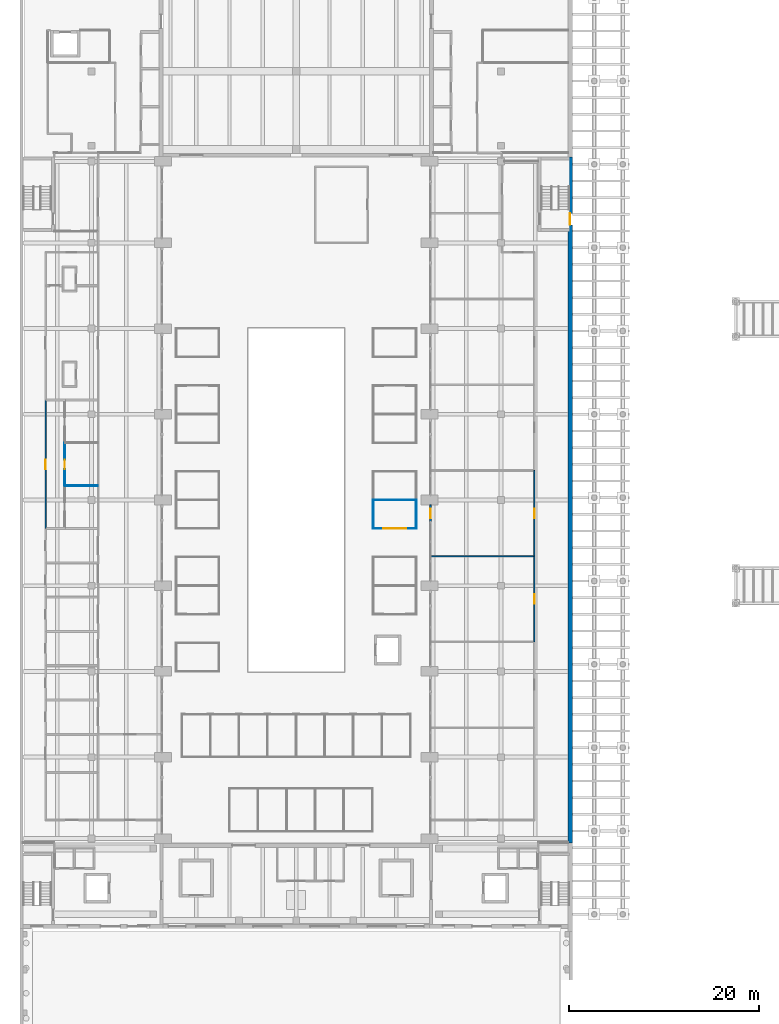
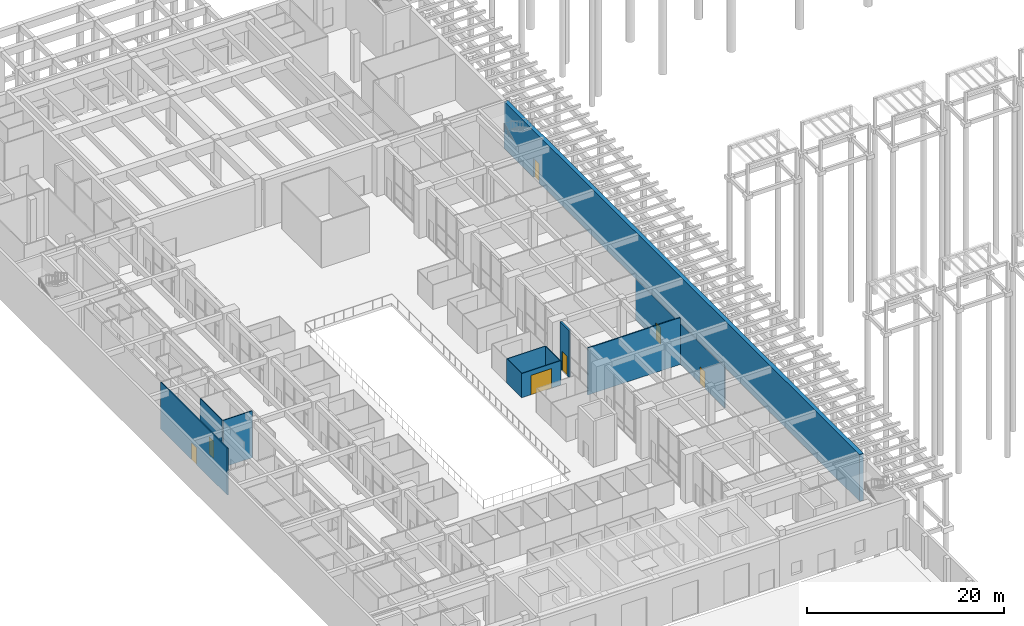
# One storey, part 33 of 51: 12 walls, 7 doors, 7 openings.
"""IFC4 building model written with IfcOpenShell, lengths in metres."""

from ifc_helpers import new_model, si_unit, direction, frame, frame_2d, origin, place, context, subcontext, project, spatial, rectangle, extrude, material, layer, layer_set, type_object, element, fill, save


model = new_model("IFC4")

# Units and contexts
model_context = context("Model", 3, precision=1e-05, world=origin(), true_north=direction((0.0, 1.0)))
body_context = subcontext(model_context, "Body", "Model", "MODEL_VIEW")
ifc_project = project(units=[si_unit("LENGTHUNIT", "METRE"), si_unit("AREAUNIT", "SQUARE_METRE"), si_unit("VOLUMEUNIT", "CUBIC_METRE"), si_unit("PLANEANGLEUNIT", "RADIAN"), si_unit("MASSUNIT", "GRAM", prefix="KILO")], contexts=[model_context])

# Site, building, storey
site_placement = place(None, origin())
site = spatial("IfcSite", under=ifc_project, at=site_placement, CompositionType="ELEMENT")
building_placement = place(site_placement, origin())
building = spatial("IfcBuilding", under=site, at=building_placement, Name="Elmora Arch Market Hall", CompositionType="ELEMENT")
storey_placement = place(building_placement, origin())
storey = spatial("IfcBuildingStorey", under=building, at=storey_placement, Name="L00", CompositionType="ELEMENT", Elevation=0.0)

# Wall, opening, door
ifc_material_1 = material(Name="Concrete C40/50", Category="concrete")
ifc_layer_1 = layer(ifc_material_1, 0.449951171875)
ifc_layer_set_1 = layer_set([ifc_layer_1], Name="Concrete C40/50")
wall_type_1 = type_object("IfcWallType", Name="Board-marked concrete wall 450", PredefinedType="SOLIDWALL", material=ifc_layer_set_1)
wall_1_placement = place(storey_placement, frame((57.77490234375, 99.0, 0.0), z_axis=(0.0, 0.0, 1.0), x_axis=(0.0, -1.0, 0.0)))
wall_1 = element("IfcWall", 1, at=wall_1_placement, inside=storey, type_object=wall_type_1, Name="Facade wall east EW L00", PredefinedType="SOLIDWALL", context=body_context, shape_type="SweptSolid", body=[
    extrude(rectangle(XDim=72.0, YDim=0.449951171875, at=frame_2d((36.0, 0.0))), origin(), (0.0, 0.0, 1.0), 5.800048828125),
])
opening_1_placement = place(wall_1_placement, frame((5.89990234375, 0.0, 0.0)))
opening_1 = element("IfcOpeningElement", 2, at=opening_1_placement, cuts=wall_1, Name="Opening EX-ST-EN", PredefinedType="OPENING", context=body_context, shape_type="SweptSolid", body=[
    extrude(rectangle(XDim=1.199951171875, YDim=2.39990234375, at=frame_2d((0.60009765625, 1.199951171875))), frame((0.0, 0.23486328125, 0.0), z_axis=(0.0, -1.0, 0.0), x_axis=(1.0, 0.0, 0.0)), (0.0, 0.0, 1.0), 0.469970703125),
])
ifc_material_2 = material(Name="Steel ASTM A653 galvanised", Category="steel")
door_type_1 = type_object("IfcDoorType", Name="Stair discharge door 1200x2400", OperationType="SINGLE_SWING_LEFT", PredefinedType="DOOR", material=ifc_material_2)
door_1_placement = place(opening_1_placement, origin())
door_1 = element("IfcDoor", 3, at=door_1_placement, inside=storey, type_object=door_type_1, Name="Stair discharge ST-EN", OperationType="SINGLE_SWING_LEFT", OverallHeight=2.39990234375, OverallWidth=1.199951171875, PredefinedType="DOOR", context=body_context, shape_type="SweptSolid", body=[
    extrude(rectangle(XDim=1.199951171875, YDim=2.39990234375, at=frame_2d((0.60009765625, 1.199951171875))), frame((0.0, 0.02490234375, 0.0), z_axis=(0.0, -1.0, 0.0), x_axis=(1.0, 0.0, 0.0)), (0.0, 0.0, 1.0), 0.050048828125),
])
fill(opening_1, door_1)

ifc_material_3 = material(Name="Concrete C40/50", Category="concrete")
ifc_layer_2 = layer(ifc_material_3, 0.199951171875)
ifc_layer_set_2 = layer_set([ifc_layer_2], Name="Concrete C40/50")
wall_type_2 = type_object("IfcWallType", Name="Concrete shopfront pier 200", PredefinedType="PARTITIONING", material=ifc_layer_set_2)
wall_2_placement = place(storey_placement, frame((43.10009765625, 60.699951171875, 0.0), z_axis=(0.0, 0.0, 1.0), x_axis=(0.0, 1.0, 0.0)))
wall_2 = element("IfcWall", 4, at=wall_2_placement, inside=storey, type_object=wall_type_2, Name="Shopfront pier E 4", PredefinedType="PARTITIONING", context=body_context, shape_type="SweptSolid", body=[
    extrude(rectangle(XDim=1.800048828125, YDim=0.199951171875, at=frame_2d((0.89990234375, 0.0))), origin(), (0.0, 0.0, 1.0), 5.800048828125),
])
opening_2_placement = place(wall_2_placement, frame((0.39990234375, 0.0, 0.0)))
opening_2 = element("IfcOpeningElement", 5, at=opening_2_placement, cuts=wall_2, Name="Opening SD-E04", PredefinedType="OPENING", context=body_context, shape_type="SweptSolid", body=[
    extrude(rectangle(XDim=1.0, YDim=2.39990234375, at=frame_2d((0.5, 1.199951171875))), frame((0.0, 0.10986328125, 0.0), z_axis=(0.0, -1.0, 0.0), x_axis=(1.0, 0.0, 0.0)), (0.0, 0.0, 1.0), 0.219970703125),
])
ifc_material_4 = material(Name="Glazed aluminium", Category="aluminium")
door_type_2 = type_object("IfcDoorType", Name="Shop door 1000x2400", OperationType="SINGLE_SWING_LEFT", PredefinedType="DOOR", material=ifc_material_4)
door_2_placement = place(opening_2_placement, frame((1.0, 0.0, 0.0), z_axis=(0.0, 0.0, 1.0), x_axis=(-1.0, 0.0, 0.0)))
door_2 = element("IfcDoor", 6, at=door_2_placement, inside=storey, type_object=door_type_2, Name="Shop door E04", OperationType="SINGLE_SWING_LEFT", OverallHeight=2.39990234375, OverallWidth=1.0, PredefinedType="DOOR", context=body_context, shape_type="SweptSolid", body=[
    extrude(rectangle(XDim=1.0, YDim=2.39990234375, at=frame_2d((0.5, 1.199951171875))), frame((0.0, 0.02490234375, 0.0), z_axis=(0.0, -1.0, 0.0), x_axis=(1.0, 0.0, 0.0)), (0.0, 0.0, 1.0), 0.050048828125),
])
fill(opening_2, door_2)

# Wall
ifc_material_5 = material(Name="Gypsum board on metal studs")
ifc_layer_3 = layer(ifc_material_5, 0.10009765625)
ifc_layer_set_3 = layer_set([ifc_layer_3], Name="Gypsum board on metal studs")
wall_type_3 = type_object("IfcWallType", Name="Partition 100", PredefinedType="PARTITIONING", material=ifc_layer_set_3)
wall_3_placement = place(storey_placement, frame((4.75, 64.5, 0.0), z_axis=(0.0, 0.0, 1.0), x_axis=(1.0, 0.0, 0.0)))
element("IfcWall", 7, at=wall_3_placement, inside=storey, type_object=wall_type_3, Name="Partition PT-L00-060", PredefinedType="PARTITIONING", context=body_context, shape_type="SweptSolid", body=[
    extrude(rectangle(XDim=3.387451171875, YDim=0.10009765625, at=frame_2d((1.69384765625, 0.0))), origin(), (0.0, 0.0, 1.0), 5.800048828125),
])

# Wall, opening, door
wall_4_placement = place(storey_placement, frame((4.699951171875, 64.5, 0.0), z_axis=(0.0, 0.0, 1.0), x_axis=(0.0, 1.0, 0.0)))
wall_4 = element("IfcWall", 8, at=wall_4_placement, inside=storey, type_object=wall_type_3, Name="Partition PT-L00-146", PredefinedType="PARTITIONING", context=body_context, shape_type="SweptSolid", body=[
    extrude(rectangle(XDim=4.5, YDim=0.10009765625, at=frame_2d((2.25, 0.0))), origin(), (0.0, 0.0, 1.0), 5.800048828125),
])
opening_3_placement = place(wall_4_placement, frame((1.75, 0.0, 0.0)))
opening_3 = element("IfcOpeningElement", 9, at=opening_3_placement, cuts=wall_4, Name="Opening D-L00-053", PredefinedType="OPENING", context=body_context, shape_type="SweptSolid", body=[
    extrude(rectangle(XDim=1.0, YDim=2.10009765625, at=frame_2d((0.5, 1.050048828125))), frame((0.0, 0.06005859375, 0.0), z_axis=(0.0, -1.0, 0.0), x_axis=(1.0, 0.0, 0.0)), (0.0, 0.0, 1.0), 0.1201171875),
])
ifc_material_6 = material(Name="Timber door set", Category="wood")
door_type_3 = type_object("IfcDoorType", Name="Door 1000 x 2100", OperationType="SINGLE_SWING_LEFT", PredefinedType="DOOR", material=ifc_material_6)
door_3_placement = place(opening_3_placement, frame((1.0, 0.0, 0.0), z_axis=(0.0, 0.0, 1.0), x_axis=(-1.0, 0.0, 0.0)))
door_3 = element("IfcDoor", 10, at=door_3_placement, inside=storey, type_object=door_type_3, Name="D-L00-053", OperationType="SINGLE_SWING_RIGHT", OverallHeight=2.10009765625, OverallWidth=1.0, PredefinedType="DOOR", context=body_context, shape_type="SweptSolid", body=[
    extrude(rectangle(XDim=1.0, YDim=2.10009765625, at=frame_2d((0.5, 1.050048828125))), frame((0.0, 0.02490234375, 0.0), z_axis=(0.0, -1.0, 0.0), x_axis=(1.0, 0.0, 0.0)), (0.0, 0.0, 1.0), 0.050048828125),
])
fill(opening_3, door_3)

# Wall
ifc_material_7 = material(Name="Gypsum board on metal studs")
ifc_layer_4 = layer(ifc_material_7, 0.125)
ifc_layer_set_4 = layer_set([ifc_layer_4], Name="Gypsum board on metal studs")
wall_type_4 = type_object("IfcWallType", Name="Partition 125 EI 60", PredefinedType="PARTITIONING", material=ifc_layer_set_4)
wall_5_placement = place(storey_placement, frame((43.10009765625, 57.10009765625, 0.0), z_axis=(0.0, 0.0, 1.0), x_axis=(1.0, 0.0, 0.0)))
element("IfcWall", 11, at=wall_5_placement, inside=storey, type_object=wall_type_4, Name="Partition PT-L00-053", PredefinedType="PARTITIONING", context=body_context, shape_type="SweptSolid", body=[
    extrude(rectangle(XDim=10.83740234375, YDim=0.125, at=frame_2d((5.418701171875, 0.0))), origin(), (0.0, 0.0, 1.0), 5.800048828125),
])

# Wall, opening, door
wall_6_placement = place(storey_placement, frame((2.699951171875, 60.0, 0.0), z_axis=(0.0, 0.0, 1.0), x_axis=(0.0, 1.0, 0.0)))
wall_6 = element("IfcWall", 12, at=wall_6_placement, inside=storey, type_object=wall_type_4, Name="Partition PT-L00-138", PredefinedType="PARTITIONING", context=body_context, shape_type="SweptSolid", body=[
    extrude(rectangle(XDim=13.5, YDim=0.125, at=frame_2d((6.75, 0.0))), origin(), (0.0, 0.0, 1.0), 5.800048828125),
])
opening_4_placement = place(wall_6_placement, frame((6.25, 0.0, 0.0)))
opening_4 = element("IfcOpeningElement", 13, at=opening_4_placement, cuts=wall_6, Name="Opening D-L00-052", PredefinedType="OPENING", context=body_context, shape_type="SweptSolid", body=[
    extrude(rectangle(XDim=1.0, YDim=2.10009765625, at=frame_2d((0.5, 1.050048828125))), frame((0.0, 0.072509765625, 0.0), z_axis=(0.0, -1.0, 0.0), x_axis=(1.0, 0.0, 0.0)), (0.0, 0.0, 1.0), 0.14501953125),
])
ifc_material_8 = material(Name="Steel ASTM A653 galvanised", Category="steel")
door_type_4 = type_object("IfcDoorType", Name="Door 1000 x 2100 FD20", OperationType="SINGLE_SWING_LEFT", PredefinedType="DOOR", material=ifc_material_8)
door_4_placement = place(opening_4_placement, frame((1.0, 0.0, 0.0), z_axis=(0.0, 0.0, 1.0), x_axis=(-1.0, 0.0, 0.0)))
door_4 = element("IfcDoor", 14, at=door_4_placement, inside=storey, type_object=door_type_4, Name="D-L00-052", OperationType="SINGLE_SWING_RIGHT", OverallHeight=2.10009765625, OverallWidth=1.0, PredefinedType="DOOR", context=body_context, shape_type="SweptSolid", body=[
    extrude(rectangle(XDim=1.0, YDim=2.10009765625, at=frame_2d((0.5, 1.050048828125))), frame((0.0, 0.02490234375, 0.0), z_axis=(0.0, -1.0, 0.0), x_axis=(1.0, 0.0, 0.0)), (0.0, 0.0, 1.0), 0.050048828125),
])
fill(opening_4, door_4)

wall_7_placement = place(storey_placement, frame((54.0, 48.10009765625, 0.0), z_axis=(0.0, 0.0, 1.0), x_axis=(0.0, 1.0, 0.0)))
wall_7 = element("IfcWall", 15, at=wall_7_placement, inside=storey, type_object=wall_type_4, Name="Partition PT-L00-237", PredefinedType="PARTITIONING", context=body_context, shape_type="SweptSolid", body=[
    extrude(rectangle(XDim=9.0, YDim=0.125, at=frame_2d((4.5, 0.0))), origin(), (0.0, 0.0, 1.0), 5.050048828125),
])
opening_5_placement = place(wall_7_placement, frame((4.0, 0.0, 0.0)))
opening_5 = element("IfcOpeningElement", 16, at=opening_5_placement, cuts=wall_7, Name="Opening D-L00-039", PredefinedType="OPENING", context=body_context, shape_type="SweptSolid", body=[
    extrude(rectangle(XDim=1.0, YDim=2.10009765625, at=frame_2d((0.5, 1.050048828125))), frame((0.0, 0.072509765625, 0.0), z_axis=(0.0, -1.0, 0.0), x_axis=(1.0, 0.0, 0.0)), (0.0, 0.0, 1.0), 0.14501953125),
])
ifc_material_9 = material(Name="Steel ASTM A653 galvanised", Category="steel")
door_type_5 = type_object("IfcDoorType", Name="Door 1000 x 2100 FD45", OperationType="SINGLE_SWING_LEFT", PredefinedType="DOOR", material=ifc_material_9)
door_5_placement = place(opening_5_placement, origin())
door_5 = element("IfcDoor", 17, at=door_5_placement, inside=storey, type_object=door_type_5, Name="D-L00-039", OperationType="SINGLE_SWING_LEFT", OverallHeight=2.10009765625, OverallWidth=1.0, PredefinedType="DOOR", context=body_context, shape_type="SweptSolid", body=[
    extrude(rectangle(XDim=1.0, YDim=2.10009765625, at=frame_2d((0.5, 1.050048828125))), frame((0.0, 0.02490234375, 0.0), z_axis=(0.0, -1.0, 0.0), x_axis=(1.0, 0.0, 0.0)), (0.0, 0.0, 1.0), 0.050048828125),
])
fill(opening_5, door_5)

wall_8_placement = place(storey_placement, frame((54.0, 57.10009765625, 0.0), z_axis=(0.0, 0.0, 1.0), x_axis=(0.0, 1.0, 0.0)))
wall_8 = element("IfcWall", 18, at=wall_8_placement, inside=storey, type_object=wall_type_4, Name="Partition PT-L00-238", PredefinedType="PARTITIONING", context=body_context, shape_type="SweptSolid", body=[
    extrude(rectangle(XDim=9.0, YDim=0.125, at=frame_2d((4.5, 0.0))), origin(), (0.0, 0.0, 1.0), 5.050048828125),
])
opening_6_placement = place(wall_8_placement, frame((4.0, 0.0, 0.0)))
opening_6 = element("IfcOpeningElement", 19, at=opening_6_placement, cuts=wall_8, Name="Opening D-L00-048", PredefinedType="OPENING", context=body_context, shape_type="SweptSolid", body=[
    extrude(rectangle(XDim=1.0, YDim=2.10009765625, at=frame_2d((0.5, 1.050048828125))), frame((0.0, 0.072509765625, 0.0), z_axis=(0.0, -1.0, 0.0), x_axis=(1.0, 0.0, 0.0)), (0.0, 0.0, 1.0), 0.14501953125),
])
door_6_placement = place(opening_6_placement, origin())
door_6 = element("IfcDoor", 20, at=door_6_placement, inside=storey, type_object=door_type_5, Name="D-L00-048", OperationType="SINGLE_SWING_LEFT", OverallHeight=2.10009765625, OverallWidth=1.0, PredefinedType="DOOR", context=body_context, shape_type="SweptSolid", body=[
    extrude(rectangle(XDim=1.0, YDim=2.10009765625, at=frame_2d((0.5, 1.050048828125))), frame((0.0, 0.02490234375, 0.0), z_axis=(0.0, -1.0, 0.0), x_axis=(1.0, 0.0, 0.0)), (0.0, 0.0, 1.0), 0.050048828125),
])
fill(opening_6, door_6)

ifc_material_10 = material(Name="Gypsum board on metal studs")
ifc_layer_5 = layer(ifc_material_10, 0.074951171875)
ifc_layer_set_5 = layer_set([ifc_layer_5], Name="Gypsum board on metal studs")
wall_type_5 = type_object("IfcWallType", Name="Stall partition 75 (3.0 m)", PredefinedType="PARTITIONING", material=ifc_layer_set_5)
wall_9_placement = place(storey_placement, frame((37.0625, 60.0, 0.0), z_axis=(0.0, 0.0, 1.0), x_axis=(1.0, 0.0, 0.0)))
wall_9 = element("IfcWall", 21, at=wall_9_placement, inside=storey, type_object=wall_type_5, Name="Partition PT-L00-057", PredefinedType="PARTITIONING", context=body_context, shape_type="SweptSolid", body=[
    extrude(rectangle(XDim=4.574951171875, YDim=0.074951171875, at=frame_2d((2.28759765625, 0.0))), origin(), (0.0, 0.0, 1.0), 3.0),
])
opening_7_placement = place(wall_9_placement, frame((1.08740234375, 0.0, 0.0)))
opening_7 = element("IfcOpeningElement", 22, at=opening_7_placement, cuts=wall_9, Name="Opening D-L00-047", PredefinedType="OPENING", context=body_context, shape_type="SweptSolid", body=[
    extrude(rectangle(XDim=2.39990234375, YDim=2.39990234375, at=frame_2d((1.199951171875, 1.199951171875))), frame((0.0, 0.04736328125, 0.0), z_axis=(0.0, -1.0, 0.0), x_axis=(1.0, 0.0, 0.0)), (0.0, 0.0, 1.0), 0.094970703125),
])
ifc_material_11 = material(Name="Aluminium roller shutter", Category="aluminium")
door_type_6 = type_object("IfcDoorType", Name="Roller shutter 2400 x 2400", OperationType="ROLLINGUP", PredefinedType="DOOR", material=ifc_material_11)
door_7_placement = place(opening_7_placement, origin())
door_7 = element("IfcDoor", 23, at=door_7_placement, inside=storey, type_object=door_type_6, Name="D-L00-047", OperationType="ROLLINGUP", OverallHeight=2.39990234375, OverallWidth=2.39990234375, PredefinedType="DOOR", context=body_context, shape_type="SweptSolid", body=[
    extrude(rectangle(XDim=2.39990234375, YDim=2.39990234375, at=frame_2d((1.199951171875, 1.199951171875))), frame((0.0, 0.02490234375, 0.0), z_axis=(0.0, -1.0, 0.0), x_axis=(1.0, 0.0, 0.0)), (0.0, 0.0, 1.0), 0.050048828125),
])
fill(opening_7, door_7)

# Walls
wall_10_placement = place(storey_placement, frame((37.137451171875, 63.0, 0.0), z_axis=(0.0, 0.0, 1.0), x_axis=(1.0, 0.0, 0.0)))
element("IfcWall", 24, at=wall_10_placement, inside=storey, type_object=wall_type_5, Name="Partition PT-L00-059", PredefinedType="PARTITIONING", context=body_context, shape_type="SweptSolid", body=[
    extrude(rectangle(XDim=4.425048828125, YDim=0.074951171875, at=frame_2d((2.21240234375, 0.0))), origin(), (0.0, 0.0, 1.0), 3.0),
])
for number, where, z_axis, x_axis, name in (
    (25, (37.10009765625, 60.03759765625, 0.0), (0.0, 0.0, 1.0), (0.0, 1.0, 0.0), "Partition PT-L00-210"),
    (26, (41.60009765625, 60.03759765625, 0.0), (0.0, 0.0, 1.0), (0.0, 1.0, 0.0), "Partition PT-L00-219"),
):
    element("IfcWall", number, at=place(storey_placement, frame(where, z_axis=z_axis, x_axis=x_axis)), inside=storey, type_object=wall_type_5, Name=name, PredefinedType="PARTITIONING", context=body_context, shape_type="SweptSolid", body=[
        extrude(rectangle(XDim=2.96240234375, YDim=0.074951171875, at=frame_2d((1.481201171875, 0.0))), origin(), (0.0, 0.0, 1.0), 3.0),
    ])

save(model, "model.ifc")
